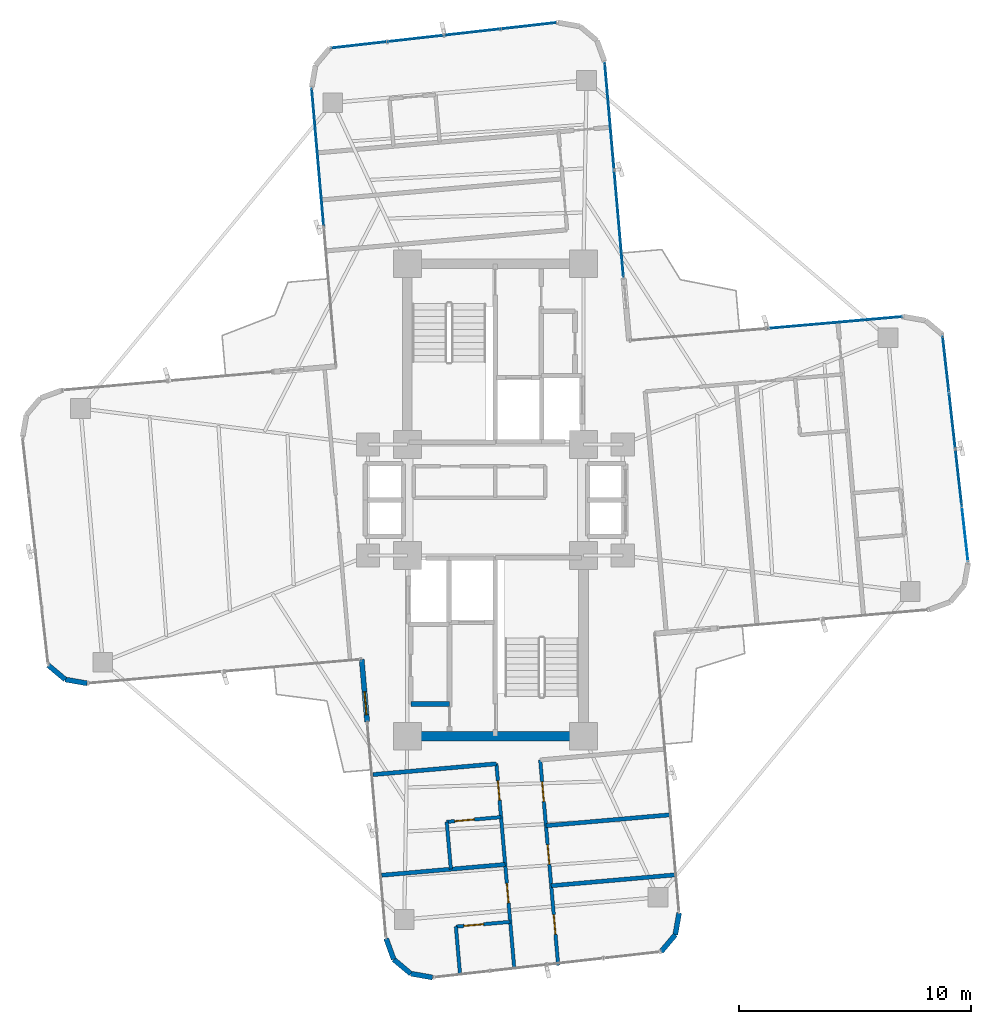
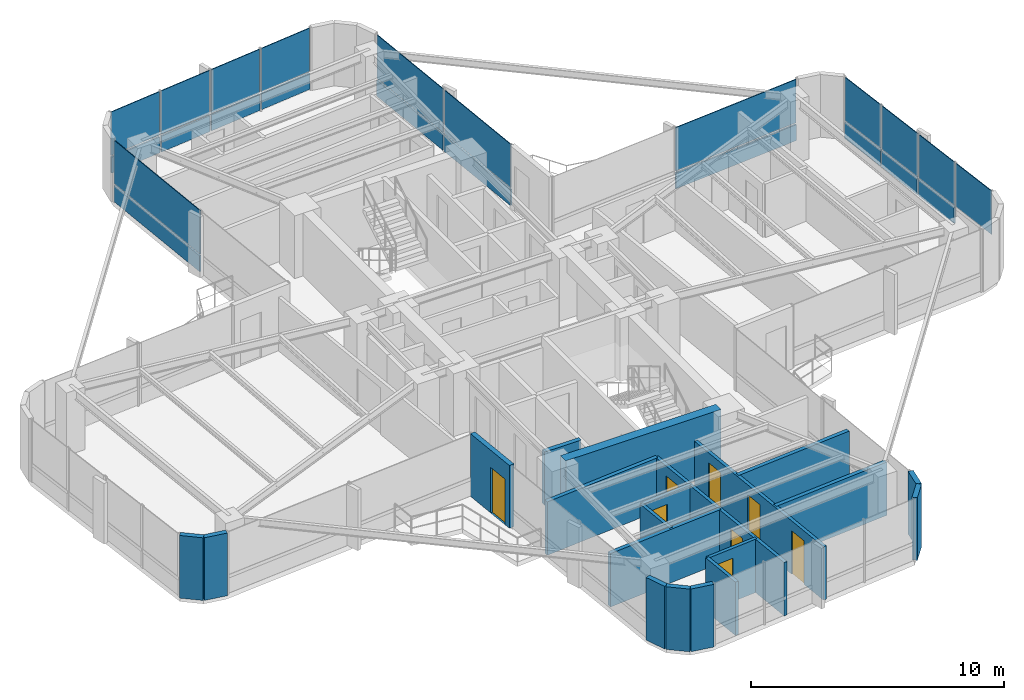
# One storey, part 20 of 24: 23 plates, 20 walls, 8 doors, 8 openings, 5 elements without a shape of their own.
"""IFC4 building model written with IfcOpenShell, lengths in metres."""

from ifc_helpers import new_model, si_unit, direction, frame, frame_2d, origin, origin_2d, place, context, subcontext, project, spatial, rectangle, extrude, source, transform, mapped, material, layer, layer_set, type_object, element, fill, aggregate, save


model = new_model("IFC4")

# Units and contexts
model_context = context("Model", 3, precision=1e-05, world=origin(), true_north=direction((0.0, 1.0)))
body_context = subcontext(model_context, "Body", "Model", "MODEL_VIEW")
ifc_project = project(units=[si_unit("LENGTHUNIT", "METRE"), si_unit("AREAUNIT", "SQUARE_METRE"), si_unit("VOLUMEUNIT", "CUBIC_METRE"), si_unit("PLANEANGLEUNIT", "RADIAN"), si_unit("MASSUNIT", "GRAM", prefix="KILO")], contexts=[model_context])

# Site, building, storey
site_placement = place(None, origin())
site = spatial("IfcSite", under=ifc_project, at=site_placement, CompositionType="ELEMENT")
building_placement = place(site_placement, origin())
building = spatial("IfcBuilding", under=site, at=building_placement, Name="Sahyath Konkavel Grand Hotel", CompositionType="ELEMENT")
storey_placement = place(building_placement, frame((0.0, 0.0, 198.64990234375)))
storey = spatial("IfcBuildingStorey", under=building, at=storey_placement, Name="L55", CompositionType="ELEMENT", Elevation=198.64990234375)

# Curtain wall, plates
ifc_material_1 = material(Name="Anodised Bronze Aluminium & Low-E Glazing", Category="aluminium")
curtain_wall_type = type_object("IfcCurtainWallType", Name="CW-ZONE3", PredefinedType="NOTDEFINED", material=ifc_material_1)
curtain_wall_1_placement = place(storey_placement, origin())
curtain_wall_1 = element("IfcCurtainWall", 1, at=curtain_wall_1_placement, inside=storey, type_object=curtain_wall_type, Name="L55 Unitised Curtain Wall F4", PredefinedType="NOTDEFINED")
ifc_material_2 = material(Name="Warm Buff Sandstone Cladding", Category="masonry")
ifc_layer_1 = layer(ifc_material_2, 0.074951171875)
ifc_layer_set_1 = layer_set([ifc_layer_1], Name="Warm Buff Sandstone Cladding")
plate_type_1 = type_object("IfcPlateType", Name="PNL-SPANDREL-STONE", PredefinedType="SHEET", material=ifc_layer_set_1)
shared_shape_1 = source(origin(), body_context, "Body", "SweptSolid", [
    extrude(rectangle(XDim=2.382080078125, YDim=0.074951171875, at=origin_2d()), origin(), (0.0, 0.0, 1.0), 0.77001953125),
])
plate_1_placement = place(storey_placement, frame((19.99755859375, 0.978515625, 0.0400390625), z_axis=(0.0, 0.0, 1.0), x_axis=(-0.111989252568, 0.993709417943, 0.0)))
plate_1 = element("IfcPlate", 2, at=plate_1_placement, type_object=plate_type_1, Name="L55 Sandstone Relief Spandrel Panel F4-1", PredefinedType="SHEET", context=body_context, shape_type="MappedRepresentation", body=[
    mapped(shared_shape_1, transform((0.0, 0.0, 0.0), scale=1.0)),
])
plate_2_placement = place(storey_placement, frame((19.7216796875, 3.425048828125, 0.0400390625), z_axis=(0.0, 0.0, 1.0), x_axis=(-0.111989252568, 0.993709417943, 0.0)))
plate_2 = element("IfcPlate", 3, at=plate_2_placement, type_object=plate_type_1, Name="L55 Sandstone Relief Spandrel Panel F4-2", PredefinedType="SHEET", context=body_context, shape_type="MappedRepresentation", body=[
    mapped(shared_shape_1, transform((0.0, 0.0, 0.0), scale=1.0)),
])
plate_3_placement = place(storey_placement, frame((19.446044921875, 5.87158203125, 0.0400390625), z_axis=(0.0, 0.0, 1.0), x_axis=(-0.111989252568, 0.993709417943, 0.0)))
plate_3 = element("IfcPlate", 4, at=plate_3_placement, type_object=plate_type_1, Name="L55 Sandstone Relief Spandrel Panel F4-3", PredefinedType="SHEET", context=body_context, shape_type="MappedRepresentation", body=[
    mapped(shared_shape_1, transform((0.0, 0.0, 0.0), scale=1.0)),
])

curtain_wall_2_placement = place(storey_placement, origin())
curtain_wall_2 = element("IfcCurtainWall", 5, at=curtain_wall_2_placement, inside=storey, type_object=curtain_wall_type, Name="L55 Unitised Curtain Wall F12", PredefinedType="NOTDEFINED")
plate_4_placement = place(storey_placement, frame((1.45068359375, 20.47265625, 0.0400390625), z_axis=(0.0, 0.0, 1.0), x_axis=(-0.993707463211, -0.112006596052, 0.0)))
plate_4 = element("IfcPlate", 6, at=plate_4_placement, type_object=plate_type_1, Name="L55 Sandstone Relief Spandrel Panel F12-0", PredefinedType="SHEET", context=body_context, shape_type="MappedRepresentation", body=[
    mapped(shared_shape_1, transform((0.0, 0.0, 0.0), scale=1.0)),
])
plate_5_placement = place(storey_placement, frame((-0.995849609375, 20.197021484375, 0.0400390625), z_axis=(0.0, 0.0, 1.0), x_axis=(-0.993707463211, -0.112006596052, 0.0)))
plate_5 = element("IfcPlate", 7, at=plate_5_placement, type_object=plate_type_1, Name="L55 Sandstone Relief Spandrel Panel F12-1", PredefinedType="SHEET", context=body_context, shape_type="MappedRepresentation", body=[
    mapped(shared_shape_1, transform((0.0, 0.0, 0.0), scale=1.0)),
])
plate_6_placement = place(storey_placement, frame((-3.4423828125, 19.921142578125, 0.0400390625), z_axis=(0.0, 0.0, 1.0), x_axis=(-0.993707463211, -0.112006596052, 0.0)))
plate_6 = element("IfcPlate", 8, at=plate_6_placement, type_object=plate_type_1, Name="L55 Sandstone Relief Spandrel Panel F12-2", PredefinedType="SHEET", context=body_context, shape_type="MappedRepresentation", body=[
    mapped(shared_shape_1, transform((0.0, 0.0, 0.0), scale=1.0)),
])
plate_7_placement = place(storey_placement, frame((-5.888916015625, 19.6455078125, 0.0400390625), z_axis=(0.0, 0.0, 1.0), x_axis=(-0.993707463211, -0.112006596052, 0.0)))
plate_7 = element("IfcPlate", 9, at=plate_7_placement, type_object=plate_type_1, Name="L55 Sandstone Relief Spandrel Panel F12-3", PredefinedType="SHEET", context=body_context, shape_type="MappedRepresentation", body=[
    mapped(shared_shape_1, transform((0.0, 0.0, 0.0), scale=1.0)),
])

# Curtain wall, plate
curtain_wall_3_placement = place(storey_placement, origin())
curtain_wall_3 = element("IfcCurtainWall", 10, at=curtain_wall_3_placement, inside=storey, type_object=curtain_wall_type, Name="L55 Unitised Curtain Wall F7", PredefinedType="NOTDEFINED")
shared_shape_2 = source(origin(), body_context, "Body", "SweptSolid", [
    extrude(rectangle(XDim=5.830078125, YDim=0.074951171875, at=origin_2d()), origin(), (0.0, 0.0, 1.0), 0.77001953125),
])
plate_8_placement = place(storey_placement, frame((14.6435546875, 7.655517578125, 0.0400390625), z_axis=(0.0, 0.0, 1.0), x_axis=(-0.996194698092, -0.087155742748, 0.0)))
plate_8 = element("IfcPlate", 11, at=plate_8_placement, type_object=plate_type_1, Name="L55 Sandstone Relief Spandrel Panel F7-0", PredefinedType="SHEET", context=body_context, shape_type="MappedRepresentation", body=[
    mapped(shared_shape_2, transform((0.0, 0.0, 0.0), scale=1.0)),
])

# Curtain wall, plates
curtain_wall_4_placement = place(storey_placement, origin())
curtain_wall_4 = element("IfcCurtainWall", 12, at=curtain_wall_4_placement, inside=storey, type_object=curtain_wall_type, Name="L55 Unitised Curtain Wall F8", PredefinedType="NOTDEFINED")
shared_shape_3 = source(origin(), body_context, "Body", "SweptSolid", [
    extrude(rectangle(XDim=4.580078125, YDim=0.074951171875, at=origin_2d()), origin(), (0.0, 0.0, 1.0), 0.77001953125),
])
plate_9_placement = place(storey_placement, frame((5.33056640625, 11.929931640625, 0.0400390625), z_axis=(0.0, 0.0, 1.0), x_axis=(-0.087155742748, 0.996194698092, 0.0)))
plate_9 = element("IfcPlate", 13, at=plate_9_placement, type_object=plate_type_1, Name="L55 Sandstone Relief Spandrel Panel F8-0", PredefinedType="SHEET", context=body_context, shape_type="MappedRepresentation", body=[
    mapped(shared_shape_3, transform((0.0, 0.0, 0.0), scale=1.0)),
])
plate_10_placement = place(storey_placement, frame((4.92431640625, 16.572265625, 0.0400390625), z_axis=(0.0, 0.0, 1.0), x_axis=(-0.087155742748, 0.996194698092, 0.0)))
plate_10 = element("IfcPlate", 14, at=plate_10_placement, type_object=plate_type_1, Name="L55 Sandstone Relief Spandrel Panel F8-1", PredefinedType="SHEET", context=body_context, shape_type="MappedRepresentation", body=[
    mapped(shared_shape_3, transform((0.0, 0.0, 0.0), scale=1.0)),
])

# Curtain wall, plate
curtain_wall_5_placement = place(storey_placement, origin())
curtain_wall_5 = element("IfcCurtainWall", 15, at=curtain_wall_5_placement, inside=storey, type_object=curtain_wall_type, Name="L55 Unitised Curtain Wall F15", PredefinedType="NOTDEFINED")
shared_shape_4 = source(origin(), body_context, "Body", "SweptSolid", [
    extrude(rectangle(XDim=5.929931640625, YDim=0.074951171875, at=origin_2d()), origin(), (0.0, 0.0, 1.0), 0.77001953125),
])
plate_11_placement = place(storey_placement, frame((-7.66845703125, 14.79296875, 0.0400390625), z_axis=(0.0, 0.0, 1.0), x_axis=(0.087155742748, -0.996194698092, 0.0)))
plate_11 = element("IfcPlate", 16, at=plate_11_placement, type_object=plate_type_1, Name="L55 Sandstone Relief Spandrel Panel F15-0", PredefinedType="SHEET", context=body_context, shape_type="MappedRepresentation", body=[
    mapped(shared_shape_4, transform((0.0, 0.0, 0.0), scale=1.0)),
])

# Plate
ifc_material_3 = material(Name="Low-E Solar Control Double Glazing", Category="glass")
ifc_layer_2 = layer(ifc_material_3, 0.035888671875)
ifc_layer_set_2 = layer_set([ifc_layer_2], Name="Low-E Solar Control Double Glazing")
plate_type_2 = type_object("IfcPlateType", Name="PNL-VISION-LOWE", PredefinedType="CURTAIN_PANEL", material=ifc_layer_set_2)
shared_shape_5 = source(origin(), body_context, "Body", "SweptSolid", [
    extrude(rectangle(XDim=2.382080078125, YDim=0.035888671875, at=origin_2d()), origin(), (0.0, 0.0, 1.0), 2.10009765625),
])
plate_12_placement = place(storey_placement, frame((20.2734375, -1.468017578125, 0.89013671875), z_axis=(0.0, 0.0, 1.0), x_axis=(-0.111989252568, 0.993709417943, 0.0)))
plate_12 = element("IfcPlate", 17, at=plate_12_placement, type_object=plate_type_2, Name="L55 Low-E Vision Glazing Panel F4-0", PredefinedType="CURTAIN_PANEL", context=body_context, shape_type="MappedRepresentation", body=[
    mapped(shared_shape_5, transform((0.0, 0.0, 0.0), scale=1.0)),
])

plate_13_placement = place(storey_placement, frame((19.99755859375, 0.978515625, 0.89013671875), z_axis=(0.0, 0.0, 1.0), x_axis=(-0.111989252568, 0.993709417943, 0.0)))
plate_13 = element("IfcPlate", 18, at=plate_13_placement, type_object=plate_type_2, Name="L55 Low-E Vision Glazing Panel F4-1", PredefinedType="CURTAIN_PANEL", context=body_context, shape_type="MappedRepresentation", body=[
    mapped(shared_shape_5, transform((0.0, 0.0, 0.0), scale=1.0)),
])

plate_14_placement = place(storey_placement, frame((19.7216796875, 3.425048828125, 0.89013671875), z_axis=(0.0, 0.0, 1.0), x_axis=(-0.111989252568, 0.993709417943, 0.0)))
plate_14 = element("IfcPlate", 19, at=plate_14_placement, type_object=plate_type_2, Name="L55 Low-E Vision Glazing Panel F4-2", PredefinedType="CURTAIN_PANEL", context=body_context, shape_type="MappedRepresentation", body=[
    mapped(shared_shape_5, transform((0.0, 0.0, 0.0), scale=1.0)),
])

plate_15_placement = place(storey_placement, frame((19.446044921875, 5.87158203125, 0.89013671875), z_axis=(0.0, 0.0, 1.0), x_axis=(-0.111989252568, 0.993709417943, 0.0)))
plate_15 = element("IfcPlate", 20, at=plate_15_placement, type_object=plate_type_2, Name="L55 Low-E Vision Glazing Panel F4-3", PredefinedType="CURTAIN_PANEL", context=body_context, shape_type="MappedRepresentation", body=[
    mapped(shared_shape_5, transform((0.0, 0.0, 0.0), scale=1.0)),
])

aggregate(curtain_wall_1, [plate_12, plate_1, plate_13, plate_2, plate_14, plate_3, plate_15])

plate_16_placement = place(storey_placement, frame((1.45068359375, 20.47265625, 0.89013671875), z_axis=(0.0, 0.0, 1.0), x_axis=(-0.993707463211, -0.112006596052, 0.0)))
plate_16 = element("IfcPlate", 21, at=plate_16_placement, type_object=plate_type_2, Name="L55 Low-E Vision Glazing Panel F12-0", PredefinedType="CURTAIN_PANEL", context=body_context, shape_type="MappedRepresentation", body=[
    mapped(shared_shape_5, transform((0.0, 0.0, 0.0), scale=1.0)),
])

plate_17_placement = place(storey_placement, frame((-0.995849609375, 20.197021484375, 0.89013671875), z_axis=(0.0, 0.0, 1.0), x_axis=(-0.993707463211, -0.112006596052, 0.0)))
plate_17 = element("IfcPlate", 22, at=plate_17_placement, type_object=plate_type_2, Name="L55 Low-E Vision Glazing Panel F12-1", PredefinedType="CURTAIN_PANEL", context=body_context, shape_type="MappedRepresentation", body=[
    mapped(shared_shape_5, transform((0.0, 0.0, 0.0), scale=1.0)),
])

plate_18_placement = place(storey_placement, frame((-3.4423828125, 19.921142578125, 0.89013671875), z_axis=(0.0, 0.0, 1.0), x_axis=(-0.993707463211, -0.112006596052, 0.0)))
plate_18 = element("IfcPlate", 23, at=plate_18_placement, type_object=plate_type_2, Name="L55 Low-E Vision Glazing Panel F12-2", PredefinedType="CURTAIN_PANEL", context=body_context, shape_type="MappedRepresentation", body=[
    mapped(shared_shape_5, transform((0.0, 0.0, 0.0), scale=1.0)),
])

plate_19_placement = place(storey_placement, frame((-5.888916015625, 19.6455078125, 0.89013671875), z_axis=(0.0, 0.0, 1.0), x_axis=(-0.993707463211, -0.112006596052, 0.0)))
plate_19 = element("IfcPlate", 24, at=plate_19_placement, type_object=plate_type_2, Name="L55 Low-E Vision Glazing Panel F12-3", PredefinedType="CURTAIN_PANEL", context=body_context, shape_type="MappedRepresentation", body=[
    mapped(shared_shape_5, transform((0.0, 0.0, 0.0), scale=1.0)),
])

aggregate(curtain_wall_2, [plate_4, plate_16, plate_5, plate_17, plate_6, plate_18, plate_7, plate_19])

shared_shape_6 = source(origin(), body_context, "Body", "SweptSolid", [
    extrude(rectangle(XDim=5.830078125, YDim=0.035888671875, at=origin_2d()), origin(), (0.0, 0.0, 1.0), 2.10009765625),
])
plate_20_placement = place(storey_placement, frame((14.6435546875, 7.655517578125, 0.89013671875), z_axis=(0.0, 0.0, 1.0), x_axis=(-0.996194698092, -0.087155742748, 0.0)))
plate_20 = element("IfcPlate", 25, at=plate_20_placement, type_object=plate_type_2, Name="L55 Low-E Vision Glazing Panel F7-0", PredefinedType="CURTAIN_PANEL", context=body_context, shape_type="MappedRepresentation", body=[
    mapped(shared_shape_6, transform((0.0, 0.0, 0.0), scale=1.0)),
])

aggregate(curtain_wall_3, [plate_8, plate_20])

shared_shape_7 = source(origin(), body_context, "Body", "SweptSolid", [
    extrude(rectangle(XDim=4.580078125, YDim=0.035888671875, at=origin_2d()), origin(), (0.0, 0.0, 1.0), 2.10009765625),
])
plate_21_placement = place(storey_placement, frame((5.33056640625, 11.929931640625, 0.89013671875), z_axis=(0.0, 0.0, 1.0), x_axis=(-0.087155742748, 0.996194698092, 0.0)))
plate_21 = element("IfcPlate", 26, at=plate_21_placement, type_object=plate_type_2, Name="L55 Low-E Vision Glazing Panel F8-0", PredefinedType="CURTAIN_PANEL", context=body_context, shape_type="MappedRepresentation", body=[
    mapped(shared_shape_7, transform((0.0, 0.0, 0.0), scale=1.0)),
])

plate_22_placement = place(storey_placement, frame((4.92431640625, 16.572265625, 0.89013671875), z_axis=(0.0, 0.0, 1.0), x_axis=(-0.087155742748, 0.996194698092, 0.0)))
plate_22 = element("IfcPlate", 27, at=plate_22_placement, type_object=plate_type_2, Name="L55 Low-E Vision Glazing Panel F8-1", PredefinedType="CURTAIN_PANEL", context=body_context, shape_type="MappedRepresentation", body=[
    mapped(shared_shape_7, transform((0.0, 0.0, 0.0), scale=1.0)),
])

aggregate(curtain_wall_4, [plate_9, plate_21, plate_10, plate_22])

shared_shape_8 = source(origin(), body_context, "Body", "SweptSolid", [
    extrude(rectangle(XDim=5.929931640625, YDim=0.035888671875, at=origin_2d()), origin(), (0.0, 0.0, 1.0), 2.10009765625),
])
plate_23_placement = place(storey_placement, frame((-7.66845703125, 14.79296875, 0.89013671875), z_axis=(0.0, 0.0, 1.0), x_axis=(0.087155742748, -0.996194698092, 0.0)))
plate_23 = element("IfcPlate", 28, at=plate_23_placement, type_object=plate_type_2, Name="L55 Low-E Vision Glazing Panel F15-0", PredefinedType="CURTAIN_PANEL", context=body_context, shape_type="MappedRepresentation", body=[
    mapped(shared_shape_8, transform((0.0, 0.0, 0.0), scale=1.0)),
])

aggregate(curtain_wall_5, [plate_11, plate_23])

# Walls
ifc_material_4 = material(Name="Concrete C50/60", Category="concrete")
ifc_layer_3 = layer(ifc_material_4, 0.419921875)
ifc_layer_set_3 = layer_set([ifc_layer_3], Name="Concrete C50/60")
wall_type_1 = type_object("IfcWallType", Name="CWALL-420", PredefinedType="SHEAR", material=ifc_layer_set_3)
wall_1_placement = place(storey_placement, frame((-3.550048828125, -10.199951171875, 0.0), z_axis=(0.0, 0.0, 1.0), x_axis=(1.0, 0.0, 0.0)))
element("IfcWall", 29, at=wall_1_placement, inside=storey, type_object=wall_type_1, Name="L55 South Core Shear Wall S", PredefinedType="SHEAR", context=body_context, shape_type="SweptSolid", body=[
    extrude(rectangle(XDim=7.10009765625, YDim=0.419921875, at=frame_2d((3.550048828125, 0.0))), origin(), (0.0, 0.0, 1.0), 3.030029296875),
])
ifc_material_5 = material(Name="Warm Buff Sandstone Insulated Concrete C40/50", Category="masonry")
ifc_layer_4 = layer(ifc_material_5, 0.219970703125)
ifc_layer_set_4 = layer_set([ifc_layer_4], Name="Warm Buff Sandstone Insulated Concrete C40/50")
wall_type_2 = type_object("IfcWallType", Name="WLL-BALC-THRESH", PredefinedType="STANDARD", material=ifc_layer_set_4)
wall_2_placement = place(storey_placement, frame((-19.3037109375, -7.134521484375, 0.0), z_axis=(0.0, 0.0, 1.0), x_axis=(0.766001159887, -0.642839189107, 0.0)))
element("IfcWall", 30, at=wall_2_placement, inside=storey, type_object=wall_type_2, Name="L55 Rounded Corner Sandstone Pier 21", PredefinedType="STANDARD", context=body_context, shape_type="SweptSolid", body=[
    extrude(rectangle(XDim=0.95751953125, YDim=0.219970703125, at=frame_2d((0.478759765625, 0.0))), origin(), (0.0, 0.0, 1.0), 3.030029296875),
])
wall_3_placement = place(storey_placement, frame((-18.5703125, -7.75, 0.0), z_axis=(0.0, 0.0, 1.0), x_axis=(0.984770724397, -0.173858046606, 0.0)))
element("IfcWall", 31, at=wall_3_placement, inside=storey, type_object=wall_type_2, Name="L55 Rounded Corner Sandstone Pier 22", PredefinedType="STANDARD", context=body_context, shape_type="SweptSolid", body=[
    extrude(rectangle(XDim=0.957763671875, YDim=0.219970703125, at=frame_2d((0.47900390625, 0.0))), origin(), (0.0, 0.0, 1.0), 3.030029296875),
])

# Wall, opening, door
wall_4_placement = place(storey_placement, frame((-5.7724609375, -6.87939453125, 0.0), z_axis=(0.0, 0.0, 1.0), x_axis=(0.087168071984, -0.996193619346, 0.0)))
wall_4 = element("IfcWall", 32, at=wall_4_placement, inside=storey, type_object=wall_type_2, Name="L55 Winter-Garden Threshold Wall 24", PredefinedType="STANDARD", context=body_context, shape_type="SweptSolid", body=[
    extrude(rectangle(XDim=2.699951171875, YDim=0.219970703125, at=frame_2d((1.35009765625, 0.0))), origin(), (0.0, 0.0, 1.0), 3.030029296875),
])
opening_1_placement = place(wall_4_placement, frame((1.39990234375, 0.0, 0.0)))
opening_1 = element("IfcOpeningElement", 33, at=opening_1_placement, cuts=wall_4, Name="Opening D-TR1", PredefinedType="OPENING", context=body_context, shape_type="SweptSolid", body=[
    extrude(rectangle(XDim=1.0, YDim=2.199951171875, at=frame_2d((0.5, 1.10009765625))), frame((0.0, 0.1201171875, 0.0), z_axis=(0.0, -1.0, 0.0), x_axis=(1.0, 0.0, 0.0)), (0.0, 0.0, 1.0), 0.239990234375),
])
door_type_1 = type_object("IfcDoorType", Name="DR-TERRACE-1000", OperationType="NOTDEFINED", PredefinedType="DOOR", material=ifc_material_1)
shared_shape_9 = source(origin(), body_context, "Body", "SweptSolid", [
    extrude(rectangle(XDim=1.0, YDim=0.050048828125, at=origin_2d()), origin(), (0.0, 0.0, 1.0), 2.199951171875),
])
door_1_placement = place(opening_1_placement, frame((0.5, 0.0, 0.0)))
door_1 = element("IfcDoor", 34, at=door_1_placement, inside=storey, type_object=door_type_1, Name="L55 Winter-Garden Terrace Door 24", OperationType="SINGLE_SWING_LEFT", OverallHeight=2.199951171875, OverallWidth=1.0, PredefinedType="DOOR", context=body_context, shape_type="MappedRepresentation", body=[
    mapped(shared_shape_9, transform((0.0, 0.0, 0.0), scale=1.0)),
])
fill(opening_1, door_1)

# Walls
wall_5_placement = place(storey_placement, frame((-4.7177734375, -18.93310546875, 0.0), z_axis=(0.0, 0.0, 1.0), x_axis=(0.34188635151, -0.939741306239, 0.0)))
element("IfcWall", 35, at=wall_5_placement, inside=storey, type_object=wall_type_2, Name="L55 Rounded Corner Sandstone Pier 25", PredefinedType="STANDARD", context=body_context, shape_type="SweptSolid", body=[
    extrude(rectangle(XDim=0.95751953125, YDim=0.219970703125, at=frame_2d((0.478759765625, 0.0))), origin(), (0.0, 0.0, 1.0), 3.030029296875),
])
for number, where, z_axis, x_axis, name in (
    (36, (-4.390380859375, -19.8330078125, 0.0), (0.0, 0.0, 1.0), (0.765980978054, -0.642863236823, 0.0), "L55 Rounded Corner Sandstone Pier 26"),
    (37, (-3.65673828125, -20.44873046875, 0.0), (0.0, 0.0, 1.0), (0.984814340885, -0.173610811841, 0.0), "L55 Rounded Corner Sandstone Pier 27"),
):
    element("IfcWall", number, at=place(storey_placement, frame(where, z_axis=z_axis, x_axis=x_axis)), inside=storey, type_object=wall_type_2, Name=name, PredefinedType="STANDARD", context=body_context, shape_type="SweptSolid", body=[
        extrude(rectangle(XDim=0.957763671875, YDim=0.219970703125, at=frame_2d((0.47900390625, 0.0))), origin(), (0.0, 0.0, 1.0), 3.030029296875),
    ])
for number, where, z_axis, x_axis, name in (
    (38, (7.152099609375, -19.5029296875, 0.0), (0.0, 0.0, 1.0), (0.642713642115, 0.766106503196, 0.0), "L55 Rounded Corner Sandstone Pier 29"),
    (39, (7.767578125, -18.769287109375, 0.0), (0.0, 0.0, 1.0), (0.173654409999, 0.984806654064, 0.0), "L55 Rounded Corner Sandstone Pier 30"),
):
    element("IfcWall", number, at=place(storey_placement, frame(where, z_axis=z_axis, x_axis=x_axis)), inside=storey, type_object=wall_type_2, Name=name, PredefinedType="STANDARD", context=body_context, shape_type="SweptSolid", body=[
        extrude(rectangle(XDim=0.95751953125, YDim=0.219970703125, at=frame_2d((0.478759765625, 0.0))), origin(), (0.0, 0.0, 1.0), 3.030029296875),
    ])
ifc_material_6 = material(Name="Concrete C40/50", Category="concrete")
ifc_layer_5 = layer(ifc_material_6, 0.199951171875)
ifc_layer_set_5 = layer_set([ifc_layer_5], Name="Concrete C40/50")
wall_type_3 = type_object("IfcWallType", Name="WLL-CORE-200", PredefinedType="SOLIDWALL", material=ifc_layer_set_5)
wall_6_placement = place(storey_placement, frame((-3.64990234375, -8.81005859375, 0.0), z_axis=(0.0, 0.0, 1.0), x_axis=(1.0, 0.0, 0.0)))
element("IfcWall", 40, at=wall_6_placement, inside=storey, type_object=wall_type_3, Name="L55 Partition SC-REC-S", PredefinedType="SOLIDWALL", context=body_context, shape_type="SweptSolid", body=[
    extrude(rectangle(XDim=1.669921875, YDim=0.199951171875, at=frame_2d((0.8349609375, 0.0))), origin(), (0.0, 0.0, 1.0), 2.580078125),
])
ifc_material_7 = material(Name="Twin-Stud Acoustic Gypsum Plasterboard Partition")
ifc_layer_6 = layer(ifc_material_7, 0.179931640625)
ifc_layer_set_6 = layer_set([ifc_layer_6], Name="Twin-Stud Acoustic Gypsum Plasterboard Partition")
wall_type_4 = type_object("IfcWallType", Name="WLL-DEMISE-180", PredefinedType="PARTITIONING", material=ifc_layer_set_6)
for number, where, z_axis, x_axis, name in (
    (41, (-5.286865234375, -11.85595703125, 0.0), (0.0, 0.0, 1.0), (0.996194212812, 0.087161289348, 0.0), "L55 Partition S-INR"),
    (42, (2.183837890625, -14.061279296875, 0.0), (0.0, 0.0, 1.0), (0.996194212812, 0.087161289348, 0.0), "L55 Partition S-S1L-DEM"),
    (43, (2.41064453125, -16.6533203125, 0.0), (0.0, 0.0, 1.0), (0.996194212812, 0.087161289348, 0.0), "L55 Partition S-S2L-DEM"),
    (44, (0.4228515625, -15.73388671875, 0.0), (0.0, 0.0, 1.0), (-0.996194212812, -0.087161289348, 0.0), "L55 Partition S-S1R-DEM"),
):
    element("IfcWall", number, at=place(storey_placement, frame(where, z_axis=z_axis, x_axis=x_axis)), inside=storey, type_object=wall_type_4, Name=name, PredefinedType="PARTITIONING", context=body_context, shape_type="SweptSolid", body=[
        extrude(rectangle(XDim=5.349853515625, YDim=0.179931640625, at=frame_2d((2.6748046875, 0.0))), origin(), (0.0, 0.0, 1.0), 2.580078125),
    ])

# Wall, openings, doors
ifc_material_8 = material(Name="Fire-Rated Gypsum Plasterboard Partition")
ifc_layer_7 = layer(ifc_material_8, 0.14990234375)
ifc_layer_set_7 = layer_set([ifc_layer_7], Name="Fire-Rated Gypsum Plasterboard Partition")
wall_type_5 = type_object("IfcWallType", Name="WLL-PART-150", PredefinedType="PARTITIONING", material=ifc_layer_set_7)
wall_7_placement = place(storey_placement, frame((1.935546875, -11.22412109375, 0.0), z_axis=(0.0, 0.0, 1.0), x_axis=(0.087151636982, -0.996195057291, 0.0)))
wall_7 = element("IfcWall", 45, at=wall_7_placement, inside=storey, type_object=wall_type_5, Name="L55 Partition S-CL", PredefinedType="PARTITIONING", context=body_context, shape_type="SweptSolid", body=[
    extrude(rectangle(XDim=8.89990234375, YDim=0.14990234375, at=frame_2d((4.449951171875, 0.0))), origin(), (0.0, 0.0, 1.0), 2.580078125),
])
opening_2_placement = place(wall_7_placement, frame((0.948974609375, 0.0, 0.0)))
opening_2 = element("IfcOpeningElement", 46, at=opening_2_placement, cuts=wall_7, Name="Opening D-F06D", PredefinedType="OPENING", context=body_context, shape_type="SweptSolid", body=[
    extrude(rectangle(XDim=0.85009765625, YDim=2.10009765625, at=frame_2d((0.425048828125, 1.050048828125))), frame((0.0, 0.0849609375, 0.0), z_axis=(0.0, -1.0, 0.0), x_axis=(1.0, 0.0, 0.0)), (0.0, 0.0, 1.0), 0.169921875),
])
opening_3_placement = place(wall_7_placement, frame((3.674072265625, 0.0, 0.0)))
opening_3 = element("IfcOpeningElement", 47, at=opening_3_placement, cuts=wall_7, Name="Opening D-F06D", PredefinedType="OPENING", context=body_context, shape_type="SweptSolid", body=[
    extrude(rectangle(XDim=0.85009765625, YDim=2.10009765625, at=frame_2d((0.425048828125, 1.050048828125))), frame((0.0, 0.0849609375, 0.0), z_axis=(0.0, -1.0, 0.0), x_axis=(1.0, 0.0, 0.0)), (0.0, 0.0, 1.0), 0.169921875),
])
opening_4_placement = place(wall_7_placement, frame((6.699951171875, 0.0, 0.0)))
opening_4 = element("IfcOpeningElement", 48, at=opening_4_placement, cuts=wall_7, Name="Opening D-F06D", PredefinedType="OPENING", context=body_context, shape_type="SweptSolid", body=[
    extrude(rectangle(XDim=0.85009765625, YDim=2.10009765625, at=frame_2d((0.425048828125, 1.050048828125))), frame((0.0, 0.0849609375, 0.0), z_axis=(0.0, -1.0, 0.0), x_axis=(1.0, 0.0, 0.0)), (0.0, 0.0, 1.0), 0.169921875),
])
ifc_material_9 = material(Name="Fire-Rated Shaft Access Door")
door_type_2 = type_object("IfcDoorType", Name="DR-FD60-850", OperationType="NOTDEFINED", PredefinedType="DOOR", material=ifc_material_9)
shared_shape_10 = source(origin(), body_context, "Body", "SweptSolid", [
    extrude(rectangle(XDim=0.85009765625, YDim=0.050048828125, at=origin_2d()), origin(), (0.0, 0.0, 1.0), 2.10009765625),
])
door_2_placement = place(opening_2_placement, frame((0.425048828125, 0.0, 0.0)))
door_2 = element("IfcDoor", 49, at=door_2_placement, inside=storey, type_object=door_type_2, Name="L55 Door S-S1L-D", OperationType="SINGLE_SWING_RIGHT", OverallHeight=2.10009765625, OverallWidth=0.85009765625, PredefinedType="DOOR", context=body_context, shape_type="MappedRepresentation", body=[
    mapped(shared_shape_10, transform((0.0, 0.0, 0.0), scale=1.0)),
])
fill(opening_2, door_2)
door_3_placement = place(opening_3_placement, frame((0.425048828125, 0.0, 0.0)))
door_3 = element("IfcDoor", 50, at=door_3_placement, inside=storey, type_object=door_type_2, Name="L55 Door S-S2L-D", OperationType="SINGLE_SWING_LEFT", OverallHeight=2.10009765625, OverallWidth=0.85009765625, PredefinedType="DOOR", context=body_context, shape_type="MappedRepresentation", body=[
    mapped(shared_shape_10, transform((0.0, 0.0, 0.0), scale=1.0)),
])
fill(opening_3, door_3)
door_4_placement = place(opening_4_placement, frame((0.425048828125, 0.0, 0.0)))
door_4 = element("IfcDoor", 51, at=door_4_placement, inside=storey, type_object=door_type_2, Name="L55 Door S-S3L-D", OperationType="SINGLE_SWING_RIGHT", OverallHeight=2.10009765625, OverallWidth=0.85009765625, PredefinedType="DOOR", context=body_context, shape_type="MappedRepresentation", body=[
    mapped(shared_shape_10, transform((0.0, 0.0, 0.0), scale=1.0)),
])
fill(opening_4, door_4)

wall_8_placement = place(storey_placement, frame((0.042724609375, -11.3896484375, 0.0), z_axis=(0.0, 0.0, 1.0), x_axis=(0.087178860582, -0.996192675273, 0.0)))
wall_8 = element("IfcWall", 52, at=wall_8_placement, inside=storey, type_object=wall_type_5, Name="L55 Partition S-CR", PredefinedType="PARTITIONING", context=body_context, shape_type="SweptSolid", body=[
    extrude(rectangle(XDim=8.89990234375, YDim=0.14990234375, at=frame_2d((4.449951171875, 0.0))), origin(), (0.0, 0.0, 1.0), 2.580078125),
])
opening_5_placement = place(wall_8_placement, frame((0.72998046875, 0.0, 0.0)))
opening_5 = element("IfcOpeningElement", 53, at=opening_5_placement, cuts=wall_8, Name="Opening D-F06D", PredefinedType="OPENING", context=body_context, shape_type="SweptSolid", body=[
    extrude(rectangle(XDim=0.85009765625, YDim=2.10009765625, at=frame_2d((0.425048828125, 1.050048828125))), frame((0.0, 0.0849609375, 0.0), z_axis=(0.0, -1.0, 0.0), x_axis=(1.0, 0.0, 0.0)), (0.0, 0.0, 1.0), 0.169921875),
])
opening_6_placement = place(wall_8_placement, frame((5.180908203125, 0.0, 0.0)))
opening_6 = element("IfcOpeningElement", 54, at=opening_6_placement, cuts=wall_8, Name="Opening D-F06D", PredefinedType="OPENING", context=body_context, shape_type="SweptSolid", body=[
    extrude(rectangle(XDim=0.85009765625, YDim=2.10009765625, at=frame_2d((0.425048828125, 1.050048828125))), frame((0.0, 0.0849609375, 0.0), z_axis=(0.0, -1.0, 0.0), x_axis=(1.0, 0.0, 0.0)), (0.0, 0.0, 1.0), 0.169921875),
])
door_5_placement = place(opening_5_placement, frame((0.425048828125, 0.0, 0.0)))
door_5 = element("IfcDoor", 55, at=door_5_placement, inside=storey, type_object=door_type_2, Name="L55 Door S-S1R-ED", OperationType="SINGLE_SWING_RIGHT", OverallHeight=2.10009765625, OverallWidth=0.85009765625, PredefinedType="DOOR", context=body_context, shape_type="MappedRepresentation", body=[
    mapped(shared_shape_10, transform((0.0, 0.0, 0.0), scale=1.0)),
])
fill(opening_5, door_5)
door_6_placement = place(opening_6_placement, frame((0.425048828125, 0.0, 0.0)))
door_6 = element("IfcDoor", 56, at=door_6_placement, inside=storey, type_object=door_type_2, Name="L55 Door S-S2R-ED", OperationType="SINGLE_SWING_RIGHT", OverallHeight=2.10009765625, OverallWidth=0.85009765625, PredefinedType="DOOR", context=body_context, shape_type="MappedRepresentation", body=[
    mapped(shared_shape_10, transform((0.0, 0.0, 0.0), scale=1.0)),
])
fill(opening_6, door_6)

# Wall, opening, door
wall_9_placement = place(storey_placement, frame((0.244140625, -13.69189453125, 0.0), z_axis=(0.0, 0.0, 1.0), x_axis=(-0.996197656711, -0.087121918963, 0.0)))
wall_9 = element("IfcWall", 57, at=wall_9_placement, inside=storey, type_object=wall_type_5, Name="L55 Partition S-S1R-BS", PredefinedType="PARTITIONING", context=body_context, shape_type="SweptSolid", body=[
    extrude(rectangle(XDim=2.35400390625, YDim=0.14990234375, at=frame_2d((1.177001953125, 0.0))), origin(), (0.0, 0.0, 1.0), 2.580078125),
])
opening_7_placement = place(wall_9_placement, frame((1.154052734375, 0.0, 0.0)))
opening_7 = element("IfcOpeningElement", 58, at=opening_7_placement, cuts=wall_9, Name="Opening D-BT85", PredefinedType="OPENING", context=body_context, shape_type="SweptSolid", body=[
    extrude(rectangle(XDim=0.85009765625, YDim=2.10009765625, at=frame_2d((0.425048828125, 1.050048828125))), frame((0.0, 0.0849609375, 0.0), z_axis=(0.0, -1.0, 0.0), x_axis=(1.0, 0.0, 0.0)), (0.0, 0.0, 1.0), 0.169921875),
])
ifc_material_10 = material(Name="Moisture-Resistant Teak Bathroom Door")
door_type_3 = type_object("IfcDoorType", Name="DR-BATH-850", OperationType="NOTDEFINED", PredefinedType="DOOR", material=ifc_material_10)
door_7_placement = place(opening_7_placement, frame((0.425048828125, 0.0, 0.0)))
door_7 = element("IfcDoor", 59, at=door_7_placement, inside=storey, type_object=door_type_3, Name="L55 Door S-S1R-BD", OperationType="SINGLE_SWING_LEFT", OverallHeight=2.10009765625, OverallWidth=0.85009765625, PredefinedType="DOOR", context=body_context, shape_type="MappedRepresentation", body=[
    mapped(shared_shape_10, transform((0.0, 0.0, 0.0), scale=1.0)),
])
fill(opening_7, door_7)

# Wall
wall_10_placement = place(storey_placement, frame((-2.100830078125, -13.89697265625, 0.0), z_axis=(0.0, 0.0, 1.0), x_axis=(0.087174336889, -0.99619307114, 0.0)))
element("IfcWall", 60, at=wall_10_placement, inside=storey, type_object=wall_type_5, Name="L55 Partition S-S1R-BF", PredefinedType="PARTITIONING", context=body_context, shape_type="SweptSolid", body=[
    extrude(rectangle(XDim=2.050048828125, YDim=0.14990234375, at=frame_2d((1.02490234375, 0.0))), origin(), (0.0, 0.0, 1.0), 2.580078125),
])

# Wall, opening, door
wall_11_placement = place(storey_placement, frame((0.639892578125, -18.21337890625, 0.0), z_axis=(0.0, 0.0, 1.0), x_axis=(-0.996188649846, -0.087224846905, 0.0)))
wall_11 = element("IfcWall", 61, at=wall_11_placement, inside=storey, type_object=wall_type_5, Name="L55 Partition S-S2R-BS", PredefinedType="PARTITIONING", context=body_context, shape_type="SweptSolid", body=[
    extrude(rectangle(XDim=2.35400390625, YDim=0.14990234375, at=frame_2d((1.177001953125, 0.0))), origin(), (0.0, 0.0, 1.0), 2.580078125),
])
opening_8_placement = place(wall_11_placement, frame((1.154052734375, 0.0, 0.0)))
opening_8 = element("IfcOpeningElement", 62, at=opening_8_placement, cuts=wall_11, Name="Opening D-BT85", PredefinedType="OPENING", context=body_context, shape_type="SweptSolid", body=[
    extrude(rectangle(XDim=0.85009765625, YDim=2.10009765625, at=frame_2d((0.425048828125, 1.050048828125))), frame((0.0, 0.0849609375, 0.0), z_axis=(0.0, -1.0, 0.0), x_axis=(1.0, 0.0, 0.0)), (0.0, 0.0, 1.0), 0.169921875),
])
door_8_placement = place(opening_8_placement, frame((0.425048828125, 0.0, 0.0)))
door_8 = element("IfcDoor", 63, at=door_8_placement, inside=storey, type_object=door_type_3, Name="L55 Door S-S2R-BD", OperationType="SINGLE_SWING_LEFT", OverallHeight=2.10009765625, OverallWidth=0.85009765625, PredefinedType="DOOR", context=body_context, shape_type="MappedRepresentation", body=[
    mapped(shared_shape_10, transform((0.0, 0.0, 0.0), scale=1.0)),
])
fill(opening_8, door_8)

# Wall
wall_12_placement = place(storey_placement, frame((-1.705078125, -18.418701171875, 0.0), z_axis=(0.0, 0.0, 1.0), x_axis=(0.087056149438, -0.996203406361, 0.0)))
element("IfcWall", 64, at=wall_12_placement, inside=storey, type_object=wall_type_5, Name="L55 Partition S-S2R-BF", PredefinedType="PARTITIONING", context=body_context, shape_type="SweptSolid", body=[
    extrude(rectangle(XDim=2.050048828125, YDim=0.14990234375, at=frame_2d((1.02490234375, 0.0))), origin(), (0.0, 0.0, 1.0), 2.580078125),
])

save(model, "model.ifc")
